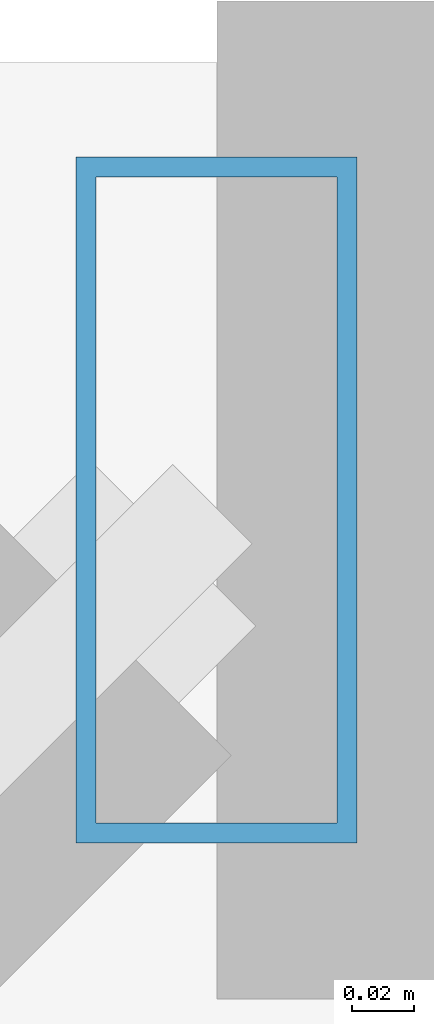
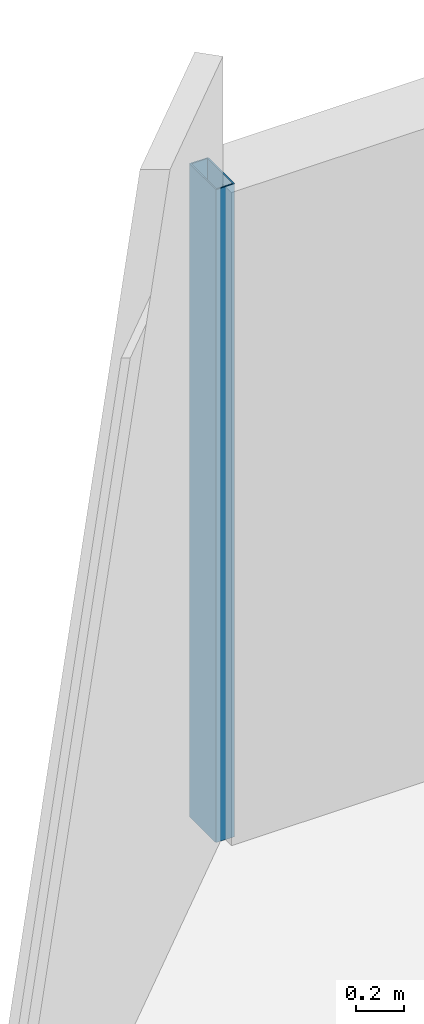
# One storey, part 16 of 33: 1 member, 1 element without a shape of its own.
"""IFC4 building model written with IfcOpenShell, lengths in metres."""

from ifc_helpers import new_model, si_unit, direction, frame, origin, origin_2d, place, context, subcontext, project, spatial, hollow_rectangle, extrude, material, material_profile, profile_set, type_object, element, aggregate, save


model = new_model("IFC4")

# Units and contexts
model_context = context("Model", 3, precision=1e-05, world=origin(), true_north=direction((0.0, 1.0)))
body_context = subcontext(model_context, "Body", "Model", "MODEL_VIEW")
ifc_project = project(units=[si_unit("LENGTHUNIT", "METRE"), si_unit("AREAUNIT", "SQUARE_METRE"), si_unit("VOLUMEUNIT", "CUBIC_METRE"), si_unit("PLANEANGLEUNIT", "RADIAN"), si_unit("MASSUNIT", "GRAM", prefix="KILO")], contexts=[model_context])

# Site, building, storey
site_placement = place(None, origin())
site = spatial("IfcSite", under=ifc_project, at=site_placement, CompositionType="ELEMENT")
building_placement = place(site_placement, origin())
building = spatial("IfcBuilding", under=site, at=building_placement, Name="Thornwick Lancets Civic Towers", CompositionType="ELEMENT")
storey_placement = place(building_placement, frame((0.0, 0.0, 49.5)))
storey = spatial("IfcBuildingStorey", under=building, at=storey_placement, Name="L12", CompositionType="ELEMENT", Elevation=49.5)

# Curtain wall, member
ifc_material_1 = material(Name="Low-zone chamfered-corner unitised glass curtain wall", Category="glass")
curtain_wall_type = type_object("IfcCurtainWallType", Name="CW_SYS_03", PredefinedType="NOTDEFINED", material=ifc_material_1)
curtain_wall_placement = place(storey_placement, origin())
curtain_wall = element("IfcCurtainWall", 1, at=curtain_wall_placement, inside=storey, type_object=curtain_wall_type, Name="L12 Curtain Wall CW-L12-B-E5", PredefinedType="NOTDEFINED")
ifc_material_2 = material(Name="Thermally broken bronze aluminium S355", Category="steel")
ifc_material_profile = material_profile(ifc_material_2, hollow_rectangle(XDim=0.090087890625, YDim=0.219970703125, WallThickness=0.00634765625, at=origin_2d()), Name="RHS 220x90x6.3")
ifc_profile_set = profile_set([ifc_material_profile], Name="Thermally broken bronze aluminium S355")
member_type = type_object("IfcMemberType", Name="CW_MUL_220", PredefinedType="MULLION", material=ifc_profile_set)
member_placement = place(storey_placement, frame((74.448486328125, 51.259521484375, 0.0), z_axis=(0.0, 0.0, 1.0), x_axis=(1.0, 0.0, 0.0)))
member = element("IfcMember", 2, at=member_placement, type_object=member_type, Name="CW-L12-B-E5 Mullion 0", PredefinedType="MULLION", context=body_context, shape_type="SweptSolid", body=[
    extrude(hollow_rectangle(XDim=0.090087890625, YDim=0.219970703125, WallThickness=0.00634765625, at=origin_2d()), origin(), (0.0, 0.0, 1.0), 3.300048828125),
])
aggregate(curtain_wall, [member])

save(model, "model.ifc")
